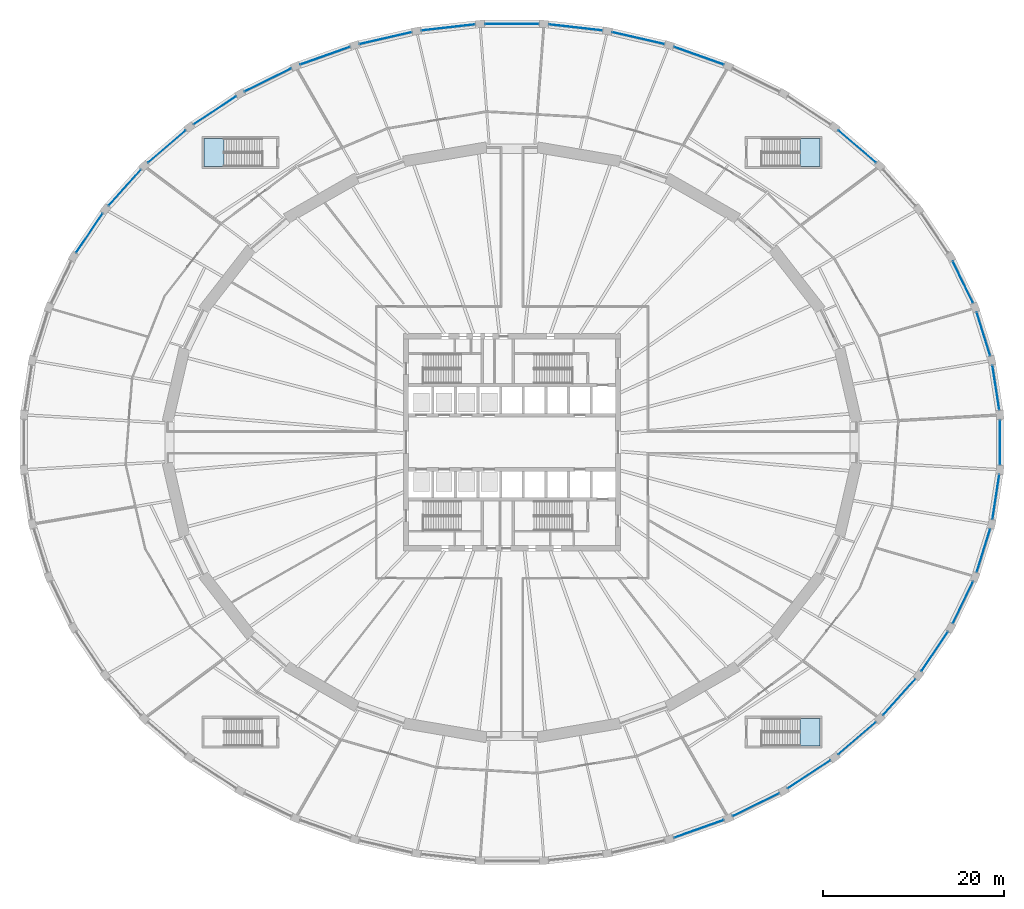
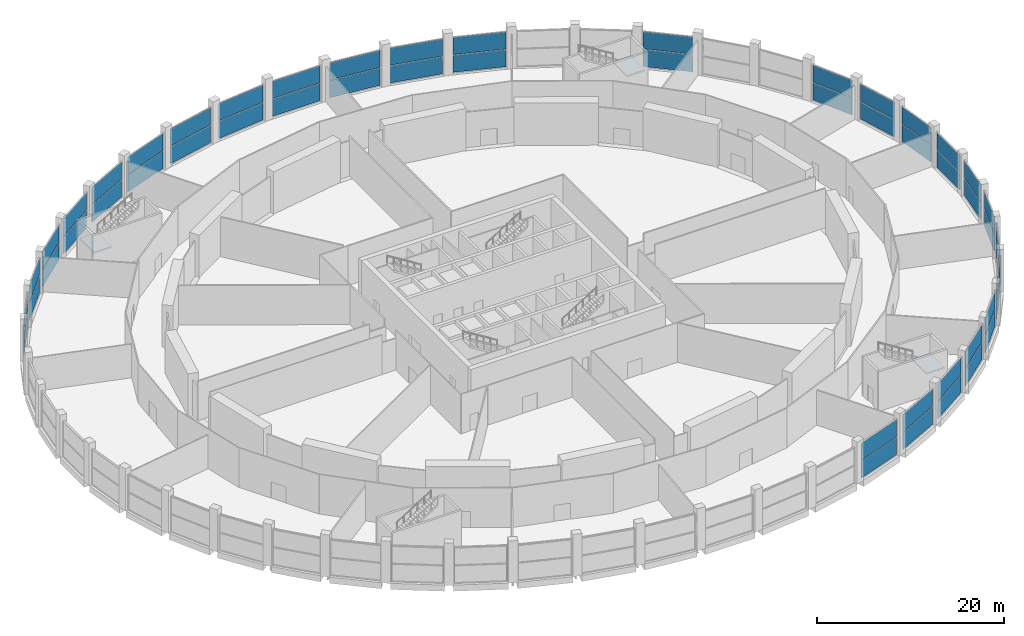
# One storey, part 19 of 29: 52 plates, 3 slabs, 29 elements without a shape of their own.
"""IFC4 building model written with IfcOpenShell, lengths in metres."""

from ifc_helpers import new_model, si_unit, direction, frame, origin, origin_2d, place, context, subcontext, project, spatial, polyline, rectangle, outline, extrude, material, layer, layer_set, type_object, element, aggregate, save


model = new_model("IFC4")

# Units and contexts
model_context = context("Model", 3, precision=1e-05, world=origin(), true_north=direction((0.0, 1.0)))
body_context = subcontext(model_context, "Body", "Model", "MODEL_VIEW")
ifc_project = project(units=[si_unit("LENGTHUNIT", "METRE"), si_unit("AREAUNIT", "SQUARE_METRE"), si_unit("VOLUMEUNIT", "CUBIC_METRE"), si_unit("PLANEANGLEUNIT", "RADIAN"), si_unit("MASSUNIT", "GRAM", prefix="KILO")], contexts=[model_context])

# Site, building, storey
site_placement = place(None, origin())
site = spatial("IfcSite", under=ifc_project, at=site_placement, CompositionType="ELEMENT")
building_placement = place(site_placement, origin())
building = spatial("IfcBuilding", under=site, at=building_placement, Name="Halqa Exchange Tower", CompositionType="ELEMENT")
storey_placement = place(building_placement, frame((0.0, 0.0, 7.0)))
storey = spatial("IfcBuildingStorey", under=building, at=storey_placement, Name="L01", CompositionType="ELEMENT", Elevation=7.0)

# Curtain wall, plates
ifc_material_1 = material(Name="Anodised aluminium and clear glass", Category="aluminium")
curtain_wall_type = type_object("IfcCurtainWallType", Name="Exchange hall glazing", PredefinedType="NOTDEFINED", material=ifc_material_1)
curtain_wall_1_placement = place(storey_placement, origin())
curtain_wall_1 = element("IfcCurtainWall", 1, at=curtain_wall_1_placement, inside=storey, type_object=curtain_wall_type, Name="Exchange hall glazing run P1", PredefinedType="NOTDEFINED")
ifc_material_2 = material(Name="Clear glass", Category="glass")
ifc_layer_1 = layer(ifc_material_2, 0.035888671875)
ifc_layer_set_1 = layer_set([ifc_layer_1], Name="Clear glass")
plate_type = type_object("IfcPlateType", Name="Laminated clear glass panel 36", PredefinedType="CURTAIN_PANEL", material=ifc_layer_set_1)
plate_1_placement = place(storey_placement, frame((53.42333984375, 6.030517578125, 0.06982421875), z_axis=(0.0, 0.0, 1.0), x_axis=(-0.151766957898, 0.988416304241, 0.0)))
plate_1 = element("IfcPlate", 2, at=plate_1_placement, type_object=plate_type, Name="P1 panel 1.1", PredefinedType="CURTAIN_PANEL", context=body_context, shape_type="SweptSolid", body=[
    extrude(rectangle(XDim=4.934814453125, YDim=0.035888671875, at=origin_2d()), origin(), (0.0, 0.0, 1.0), 2.2451171875),
])
plate_2_placement = place(storey_placement, frame((53.42333984375, 6.030517578125, 2.385009765625), z_axis=(0.0, 0.0, 1.0), x_axis=(-0.151766957898, 0.988416304241, 0.0)))
plate_2 = element("IfcPlate", 3, at=plate_2_placement, type_object=plate_type, Name="P1 panel 1.2", PredefinedType="CURTAIN_PANEL", context=body_context, shape_type="SweptSolid", body=[
    extrude(rectangle(XDim=4.934814453125, YDim=0.035888671875, at=origin_2d()), origin(), (0.0, 0.0, 1.0), 2.2451171875),
])
aggregate(curtain_wall_1, [plate_1, plate_2])

curtain_wall_2_placement = place(storey_placement, origin())
curtain_wall_2 = element("IfcCurtainWall", 4, at=curtain_wall_2_placement, inside=storey, type_object=curtain_wall_type, Name="Exchange hall glazing run P2", PredefinedType="NOTDEFINED")
plate_3_placement = place(storey_placement, frame((52.04833984375, 11.957763671875, 0.06982421875), z_axis=(0.0, 0.0, 1.0), x_axis=(-0.298302746613, 0.95447130463, 0.0)))
plate_3 = element("IfcPlate", 5, at=plate_3_placement, type_object=plate_type, Name="P2 panel 1.1", PredefinedType="CURTAIN_PANEL", context=body_context, shape_type="SweptSolid", body=[
    extrude(rectangle(XDim=4.989013671875, YDim=0.035888671875, at=origin_2d()), origin(), (0.0, 0.0, 1.0), 2.2451171875),
])
plate_4_placement = place(storey_placement, frame((52.04833984375, 11.957763671875, 2.385009765625), z_axis=(0.0, 0.0, 1.0), x_axis=(-0.298302746613, 0.95447130463, 0.0)))
plate_4 = element("IfcPlate", 6, at=plate_4_placement, type_object=plate_type, Name="P2 panel 1.2", PredefinedType="CURTAIN_PANEL", context=body_context, shape_type="SweptSolid", body=[
    extrude(rectangle(XDim=4.989013671875, YDim=0.035888671875, at=origin_2d()), origin(), (0.0, 0.0, 1.0), 2.2451171875),
])
aggregate(curtain_wall_2, [plate_3, plate_4])

curtain_wall_3_placement = place(storey_placement, origin())
curtain_wall_3 = element("IfcCurtainWall", 7, at=curtain_wall_3_placement, inside=storey, type_object=curtain_wall_type, Name="Exchange hall glazing run P3", PredefinedType="NOTDEFINED")
plate_5_placement = place(storey_placement, frame((49.78271484375, 17.680419921875, 0.06982421875), z_axis=(0.0, 0.0, 1.0), x_axis=(-0.434989864727, 0.90043534892, 0.0)))
plate_5 = element("IfcPlate", 8, at=plate_5_placement, type_object=plate_type, Name="P3 panel 1.1", PredefinedType="CURTAIN_PANEL", context=body_context, shape_type="SweptSolid", body=[
    extrude(rectangle(XDim=5.07421875, YDim=0.035888671875, at=origin_2d()), origin(), (0.0, 0.0, 1.0), 2.2451171875),
])
plate_6_placement = place(storey_placement, frame((49.78271484375, 17.680419921875, 2.385009765625), z_axis=(0.0, 0.0, 1.0), x_axis=(-0.434989864727, 0.90043534892, 0.0)))
plate_6 = element("IfcPlate", 9, at=plate_6_placement, type_object=plate_type, Name="P3 panel 1.2", PredefinedType="CURTAIN_PANEL", context=body_context, shape_type="SweptSolid", body=[
    extrude(rectangle(XDim=5.07421875, YDim=0.035888671875, at=origin_2d()), origin(), (0.0, 0.0, 1.0), 2.2451171875),
])
aggregate(curtain_wall_3, [plate_5, plate_6])

curtain_wall_4_placement = place(storey_placement, origin())
curtain_wall_4 = element("IfcCurtainWall", 10, at=curtain_wall_4_placement, inside=storey, type_object=curtain_wall_type, Name="Exchange hall glazing run P6", PredefinedType="NOTDEFINED")
plate_7_placement = place(storey_placement, frame((38.10205078125, 32.6689453125, 0.06982421875), z_axis=(0.0, 0.0, 1.0), x_axis=(-0.759154109704, 0.650910929175, 0.0)))
plate_7 = element("IfcPlate", 11, at=plate_7_placement, type_object=plate_type, Name="P6 panel 1.1", PredefinedType="CURTAIN_PANEL", context=body_context, shape_type="SweptSolid", body=[
    extrude(rectangle(XDim=5.439208984375, YDim=0.035888671875, at=origin_2d()), origin(), (0.0, 0.0, 1.0), 2.2451171875),
])
plate_8_placement = place(storey_placement, frame((38.10205078125, 32.6689453125, 2.385009765625), z_axis=(0.0, 0.0, 1.0), x_axis=(-0.759154109704, 0.650910929175, 0.0)))
plate_8 = element("IfcPlate", 12, at=plate_8_placement, type_object=plate_type, Name="P6 panel 1.2", PredefinedType="CURTAIN_PANEL", context=body_context, shape_type="SweptSolid", body=[
    extrude(rectangle(XDim=5.439208984375, YDim=0.035888671875, at=origin_2d()), origin(), (0.0, 0.0, 1.0), 2.2451171875),
])
aggregate(curtain_wall_4, [plate_7, plate_8])

curtain_wall_5_placement = place(storey_placement, origin())
curtain_wall_5 = element("IfcCurtainWall", 13, at=curtain_wall_5_placement, inside=storey, type_object=curtain_wall_type, Name="Exchange hall glazing run P9", PredefinedType="NOTDEFINED")
plate_9_placement = place(storey_placement, frame((20.62060546875, 42.68408203125, 0.06982421875), z_axis=(0.0, 0.0, 1.0), x_axis=(-0.942328875444, 0.334688348326, 0.0)))
plate_9 = element("IfcPlate", 14, at=plate_9_placement, type_object=plate_type, Name="P9 panel 1.1", PredefinedType="CURTAIN_PANEL", context=body_context, shape_type="SweptSolid", body=[
    extrude(rectangle(XDim=5.78515625, YDim=0.035888671875, at=origin_2d()), origin(), (0.0, 0.0, 1.0), 2.2451171875),
])
plate_10_placement = place(storey_placement, frame((20.62060546875, 42.68408203125, 2.385009765625), z_axis=(0.0, 0.0, 1.0), x_axis=(-0.942328875444, 0.334688348326, 0.0)))
plate_10 = element("IfcPlate", 15, at=plate_10_placement, type_object=plate_type, Name="P9 panel 1.2", PredefinedType="CURTAIN_PANEL", context=body_context, shape_type="SweptSolid", body=[
    extrude(rectangle(XDim=5.78515625, YDim=0.035888671875, at=origin_2d()), origin(), (0.0, 0.0, 1.0), 2.2451171875),
])
aggregate(curtain_wall_5, [plate_9, plate_10])

curtain_wall_6_placement = place(storey_placement, origin())
curtain_wall_6 = element("IfcCurtainWall", 16, at=curtain_wall_6_placement, inside=storey, type_object=curtain_wall_type, Name="Exchange hall glazing run P10", PredefinedType="NOTDEFINED")
plate_11_placement = place(storey_placement, frame((13.9462890625, 44.626708984375, 0.06982421875), z_axis=(0.0, 0.0, 1.0), x_axis=(-0.974612891234, 0.223896655269, 0.0)))
plate_11 = element("IfcPlate", 17, at=plate_11_placement, type_object=plate_type, Name="P10 panel 1.1", PredefinedType="CURTAIN_PANEL", context=body_context, shape_type="SweptSolid", body=[
    extrude(rectangle(XDim=5.860595703125, YDim=0.035888671875, at=origin_2d()), origin(), (0.0, 0.0, 1.0), 2.2451171875),
])
plate_12_placement = place(storey_placement, frame((13.9462890625, 44.626708984375, 2.385009765625), z_axis=(0.0, 0.0, 1.0), x_axis=(-0.974612891234, 0.223896655269, 0.0)))
plate_12 = element("IfcPlate", 18, at=plate_12_placement, type_object=plate_type, Name="P10 panel 1.2", PredefinedType="CURTAIN_PANEL", context=body_context, shape_type="SweptSolid", body=[
    extrude(rectangle(XDim=5.860595703125, YDim=0.035888671875, at=origin_2d()), origin(), (0.0, 0.0, 1.0), 2.2451171875),
])
aggregate(curtain_wall_6, [plate_11, plate_12])

curtain_wall_7_placement = place(storey_placement, origin())
curtain_wall_7 = element("IfcCurtainWall", 19, at=curtain_wall_7_placement, inside=storey, type_object=curtain_wall_type, Name="Exchange hall glazing run P11", PredefinedType="NOTDEFINED")
plate_13_placement = place(storey_placement, frame((7.033447265625, 45.8056640625, 0.06982421875), z_axis=(0.0, 0.0, 1.0), x_axis=(-0.993690261872, 0.112159098874, 0.0)))
plate_13 = element("IfcPlate", 20, at=plate_13_placement, type_object=plate_type, Name="P11 panel 1.1", PredefinedType="CURTAIN_PANEL", context=body_context, shape_type="SweptSolid", body=[
    extrude(rectangle(XDim=5.90771484375, YDim=0.035888671875, at=origin_2d()), origin(), (0.0, 0.0, 1.0), 2.2451171875),
])
plate_14_placement = place(storey_placement, frame((7.033447265625, 45.8056640625, 2.385009765625), z_axis=(0.0, 0.0, 1.0), x_axis=(-0.993690261872, 0.112159098874, 0.0)))
plate_14 = element("IfcPlate", 21, at=plate_14_placement, type_object=plate_type, Name="P11 panel 1.2", PredefinedType="CURTAIN_PANEL", context=body_context, shape_type="SweptSolid", body=[
    extrude(rectangle(XDim=5.90771484375, YDim=0.035888671875, at=origin_2d()), origin(), (0.0, 0.0, 1.0), 2.2451171875),
])
aggregate(curtain_wall_7, [plate_13, plate_14])

curtain_wall_8_placement = place(storey_placement, origin())
curtain_wall_8 = element("IfcCurtainWall", 22, at=curtain_wall_8_placement, inside=storey, type_object=curtain_wall_type, Name="Exchange hall glazing run P12", PredefinedType="NOTDEFINED")
plate_15_placement = place(storey_placement, frame((0.0, 46.200927734375, 0.06982421875), z_axis=(0.0, 0.0, 1.0), x_axis=(-1.0, 0.0, 0.0)))
plate_15 = element("IfcPlate", 23, at=plate_15_placement, type_object=plate_type, Name="P12 panel 1.1", PredefinedType="CURTAIN_PANEL", context=body_context, shape_type="SweptSolid", body=[
    extrude(rectangle(XDim=5.923583984375, YDim=0.035888671875, at=origin_2d()), origin(), (0.0, 0.0, 1.0), 2.2451171875),
])
plate_16_placement = place(storey_placement, frame((0.0, 46.200927734375, 2.385009765625), z_axis=(0.0, 0.0, 1.0), x_axis=(-1.0, 0.0, 0.0)))
plate_16 = element("IfcPlate", 24, at=plate_16_placement, type_object=plate_type, Name="P12 panel 1.2", PredefinedType="CURTAIN_PANEL", context=body_context, shape_type="SweptSolid", body=[
    extrude(rectangle(XDim=5.923583984375, YDim=0.035888671875, at=origin_2d()), origin(), (0.0, 0.0, 1.0), 2.2451171875),
])
aggregate(curtain_wall_8, [plate_15, plate_16])

curtain_wall_9_placement = place(storey_placement, origin())
curtain_wall_9 = element("IfcCurtainWall", 25, at=curtain_wall_9_placement, inside=storey, type_object=curtain_wall_type, Name="Exchange hall glazing run P13", PredefinedType="NOTDEFINED")
plate_17_placement = place(storey_placement, frame((-7.033447265625, 45.8056640625, 0.06982421875), z_axis=(0.0, 0.0, 1.0), x_axis=(-0.993690261872, -0.112159098874, 0.0)))
plate_17 = element("IfcPlate", 26, at=plate_17_placement, type_object=plate_type, Name="P13 panel 1.1", PredefinedType="CURTAIN_PANEL", context=body_context, shape_type="SweptSolid", body=[
    extrude(rectangle(XDim=5.90771484375, YDim=0.035888671875, at=origin_2d()), origin(), (0.0, 0.0, 1.0), 2.2451171875),
])
plate_18_placement = place(storey_placement, frame((-7.033447265625, 45.8056640625, 2.385009765625), z_axis=(0.0, 0.0, 1.0), x_axis=(-0.993690261872, -0.112159098874, 0.0)))
plate_18 = element("IfcPlate", 27, at=plate_18_placement, type_object=plate_type, Name="P13 panel 1.2", PredefinedType="CURTAIN_PANEL", context=body_context, shape_type="SweptSolid", body=[
    extrude(rectangle(XDim=5.90771484375, YDim=0.035888671875, at=origin_2d()), origin(), (0.0, 0.0, 1.0), 2.2451171875),
])
aggregate(curtain_wall_9, [plate_17, plate_18])

curtain_wall_10_placement = place(storey_placement, origin())
curtain_wall_10 = element("IfcCurtainWall", 28, at=curtain_wall_10_placement, inside=storey, type_object=curtain_wall_type, Name="Exchange hall glazing run P14", PredefinedType="NOTDEFINED")
plate_19_placement = place(storey_placement, frame((-13.9462890625, 44.626708984375, 0.06982421875), z_axis=(0.0, 0.0, 1.0), x_axis=(-0.974612891234, -0.223896655269, 0.0)))
plate_19 = element("IfcPlate", 29, at=plate_19_placement, type_object=plate_type, Name="P14 panel 1.1", PredefinedType="CURTAIN_PANEL", context=body_context, shape_type="SweptSolid", body=[
    extrude(rectangle(XDim=5.860595703125, YDim=0.035888671875, at=origin_2d()), origin(), (0.0, 0.0, 1.0), 2.2451171875),
])
plate_20_placement = place(storey_placement, frame((-13.9462890625, 44.626708984375, 2.385009765625), z_axis=(0.0, 0.0, 1.0), x_axis=(-0.974612891234, -0.223896655269, 0.0)))
plate_20 = element("IfcPlate", 30, at=plate_20_placement, type_object=plate_type, Name="P14 panel 1.2", PredefinedType="CURTAIN_PANEL", context=body_context, shape_type="SweptSolid", body=[
    extrude(rectangle(XDim=5.860595703125, YDim=0.035888671875, at=origin_2d()), origin(), (0.0, 0.0, 1.0), 2.2451171875),
])
aggregate(curtain_wall_10, [plate_19, plate_20])

curtain_wall_11_placement = place(storey_placement, origin())
curtain_wall_11 = element("IfcCurtainWall", 31, at=curtain_wall_11_placement, inside=storey, type_object=curtain_wall_type, Name="Exchange hall glazing run P15", PredefinedType="NOTDEFINED")
plate_21_placement = place(storey_placement, frame((-20.62060546875, 42.68408203125, 0.06982421875), z_axis=(0.0, 0.0, 1.0), x_axis=(-0.942328875444, -0.334688348326, 0.0)))
plate_21 = element("IfcPlate", 32, at=plate_21_placement, type_object=plate_type, Name="P15 panel 1.1", PredefinedType="CURTAIN_PANEL", context=body_context, shape_type="SweptSolid", body=[
    extrude(rectangle(XDim=5.78515625, YDim=0.035888671875, at=origin_2d()), origin(), (0.0, 0.0, 1.0), 2.2451171875),
])
plate_22_placement = place(storey_placement, frame((-20.62060546875, 42.68408203125, 2.385009765625), z_axis=(0.0, 0.0, 1.0), x_axis=(-0.942328875444, -0.334688348326, 0.0)))
plate_22 = element("IfcPlate", 33, at=plate_22_placement, type_object=plate_type, Name="P15 panel 1.2", PredefinedType="CURTAIN_PANEL", context=body_context, shape_type="SweptSolid", body=[
    extrude(rectangle(XDim=5.78515625, YDim=0.035888671875, at=origin_2d()), origin(), (0.0, 0.0, 1.0), 2.2451171875),
])
aggregate(curtain_wall_11, [plate_21, plate_22])

curtain_wall_12_placement = place(storey_placement, origin())
curtain_wall_12 = element("IfcCurtainWall", 34, at=curtain_wall_12_placement, inside=storey, type_object=curtain_wall_type, Name="Exchange hall glazing run P16", PredefinedType="NOTDEFINED")
plate_23_placement = place(storey_placement, frame((-26.942138671875, 40.010986328125, 0.06982421875), z_axis=(0.0, 0.0, 1.0), x_axis=(-0.896198440934, -0.443653417058, 0.0)))
plate_23 = element("IfcPlate", 35, at=plate_23_placement, type_object=plate_type, Name="P16 panel 1.1", PredefinedType="CURTAIN_PANEL", context=body_context, shape_type="SweptSolid", body=[
    extrude(rectangle(XDim=5.685791015625, YDim=0.035888671875, at=origin_2d()), origin(), (0.0, 0.0, 1.0), 2.2451171875),
])
plate_24_placement = place(storey_placement, frame((-26.942138671875, 40.010986328125, 2.385009765625), z_axis=(0.0, 0.0, 1.0), x_axis=(-0.896198440934, -0.443653417058, 0.0)))
plate_24 = element("IfcPlate", 36, at=plate_24_placement, type_object=plate_type, Name="P16 panel 1.2", PredefinedType="CURTAIN_PANEL", context=body_context, shape_type="SweptSolid", body=[
    extrude(rectangle(XDim=5.685791015625, YDim=0.035888671875, at=origin_2d()), origin(), (0.0, 0.0, 1.0), 2.2451171875),
])
aggregate(curtain_wall_12, [plate_23, plate_24])

curtain_wall_13_placement = place(storey_placement, origin())
curtain_wall_13 = element("IfcCurtainWall", 37, at=curtain_wall_13_placement, inside=storey, type_object=curtain_wall_type, Name="Exchange hall glazing run P17", PredefinedType="NOTDEFINED")
plate_25_placement = place(storey_placement, frame((-32.802734375, 36.653564453125, 0.06982421875), z_axis=(0.0, 0.0, 1.0), x_axis=(-0.835414753652, -0.549620040919, 0.0)))
plate_25 = element("IfcPlate", 38, at=plate_25_placement, type_object=plate_type, Name="P17 panel 1.1", PredefinedType="CURTAIN_PANEL", context=body_context, shape_type="SweptSolid", body=[
    extrude(rectangle(XDim=5.56787109375, YDim=0.035888671875, at=origin_2d()), origin(), (0.0, 0.0, 1.0), 2.2451171875),
])
plate_26_placement = place(storey_placement, frame((-32.802734375, 36.653564453125, 2.385009765625), z_axis=(0.0, 0.0, 1.0), x_axis=(-0.835414753652, -0.549620040919, 0.0)))
plate_26 = element("IfcPlate", 39, at=plate_26_placement, type_object=plate_type, Name="P17 panel 1.2", PredefinedType="CURTAIN_PANEL", context=body_context, shape_type="SweptSolid", body=[
    extrude(rectangle(XDim=5.56787109375, YDim=0.035888671875, at=origin_2d()), origin(), (0.0, 0.0, 1.0), 2.2451171875),
])
aggregate(curtain_wall_13, [plate_25, plate_26])

curtain_wall_14_placement = place(storey_placement, origin())
curtain_wall_14 = element("IfcCurtainWall", 40, at=curtain_wall_14_placement, inside=storey, type_object=curtain_wall_type, Name="Exchange hall glazing run P18", PredefinedType="NOTDEFINED")
plate_27_placement = place(storey_placement, frame((-38.10205078125, 32.6689453125, 0.06982421875), z_axis=(0.0, 0.0, 1.0), x_axis=(-0.759154109704, -0.650910929175, 0.0)))
plate_27 = element("IfcPlate", 41, at=plate_27_placement, type_object=plate_type, Name="P18 panel 1.1", PredefinedType="CURTAIN_PANEL", context=body_context, shape_type="SweptSolid", body=[
    extrude(rectangle(XDim=5.439208984375, YDim=0.035888671875, at=origin_2d()), origin(), (0.0, 0.0, 1.0), 2.2451171875),
])
plate_28_placement = place(storey_placement, frame((-38.10205078125, 32.6689453125, 2.385009765625), z_axis=(0.0, 0.0, 1.0), x_axis=(-0.759154109704, -0.650910929175, 0.0)))
plate_28 = element("IfcPlate", 42, at=plate_28_placement, type_object=plate_type, Name="P18 panel 1.2", PredefinedType="CURTAIN_PANEL", context=body_context, shape_type="SweptSolid", body=[
    extrude(rectangle(XDim=5.439208984375, YDim=0.035888671875, at=origin_2d()), origin(), (0.0, 0.0, 1.0), 2.2451171875),
])
aggregate(curtain_wall_14, [plate_27, plate_28])

curtain_wall_15_placement = place(storey_placement, origin())
curtain_wall_15 = element("IfcCurtainWall", 43, at=curtain_wall_15_placement, inside=storey, type_object=curtain_wall_type, Name="Exchange hall glazing run P19", PredefinedType="NOTDEFINED")
plate_29_placement = place(storey_placement, frame((-42.749267578125, 28.125244140625, 0.06982421875), z_axis=(0.0, 0.0, 1.0), x_axis=(-0.666899477539, -0.74514769466, 0.0)))
plate_29 = element("IfcPlate", 44, at=plate_29_placement, type_object=plate_type, Name="P19 panel 1.1", PredefinedType="CURTAIN_PANEL", context=body_context, shape_type="SweptSolid", body=[
    extrude(rectangle(XDim=5.30810546875, YDim=0.035888671875, at=origin_2d()), origin(), (0.0, 0.0, 1.0), 2.2451171875),
])
plate_30_placement = place(storey_placement, frame((-42.749267578125, 28.125244140625, 2.385009765625), z_axis=(0.0, 0.0, 1.0), x_axis=(-0.666899477539, -0.74514769466, 0.0)))
plate_30 = element("IfcPlate", 45, at=plate_30_placement, type_object=plate_type, Name="P19 panel 1.2", PredefinedType="CURTAIN_PANEL", context=body_context, shape_type="SweptSolid", body=[
    extrude(rectangle(XDim=5.30810546875, YDim=0.035888671875, at=origin_2d()), origin(), (0.0, 0.0, 1.0), 2.2451171875),
])
aggregate(curtain_wall_15, [plate_29, plate_30])

curtain_wall_16_placement = place(storey_placement, origin())
curtain_wall_16 = element("IfcCurtainWall", 46, at=curtain_wall_16_placement, inside=storey, type_object=curtain_wall_type, Name="Exchange hall glazing run P20", PredefinedType="NOTDEFINED")
plate_31_placement = place(storey_placement, frame((-46.665283203125, 23.100341796875, 0.06982421875), z_axis=(0.0, 0.0, 1.0), x_axis=(-0.55852230535, -0.8294895023, 0.0)))
plate_31 = element("IfcPlate", 47, at=plate_31_placement, type_object=plate_type, Name="P20 panel 1.1", PredefinedType="CURTAIN_PANEL", context=body_context, shape_type="SweptSolid", body=[
    extrude(rectangle(XDim=5.18310546875, YDim=0.035888671875, at=origin_2d()), origin(), (0.0, 0.0, 1.0), 2.2451171875),
])
plate_32_placement = place(storey_placement, frame((-46.665283203125, 23.100341796875, 2.385009765625), z_axis=(0.0, 0.0, 1.0), x_axis=(-0.55852230535, -0.8294895023, 0.0)))
plate_32 = element("IfcPlate", 48, at=plate_32_placement, type_object=plate_type, Name="P20 panel 1.2", PredefinedType="CURTAIN_PANEL", context=body_context, shape_type="SweptSolid", body=[
    extrude(rectangle(XDim=5.18310546875, YDim=0.035888671875, at=origin_2d()), origin(), (0.0, 0.0, 1.0), 2.2451171875),
])
aggregate(curtain_wall_16, [plate_31, plate_32])

curtain_wall_17_placement = place(storey_placement, origin())
curtain_wall_17 = element("IfcCurtainWall", 49, at=curtain_wall_17_placement, inside=storey, type_object=curtain_wall_type, Name="Exchange hall glazing run P39", PredefinedType="NOTDEFINED")
plate_33_placement = place(storey_placement, frame((20.62060546875, -42.68408203125, 0.06982421875), z_axis=(0.0, 0.0, 1.0), x_axis=(0.942328875444, 0.334688348326, 0.0)))
plate_33 = element("IfcPlate", 50, at=plate_33_placement, type_object=plate_type, Name="P39 panel 1.1", PredefinedType="CURTAIN_PANEL", context=body_context, shape_type="SweptSolid", body=[
    extrude(rectangle(XDim=5.78515625, YDim=0.035888671875, at=origin_2d()), origin(), (0.0, 0.0, 1.0), 2.2451171875),
])
plate_34_placement = place(storey_placement, frame((20.62060546875, -42.68408203125, 2.385009765625), z_axis=(0.0, 0.0, 1.0), x_axis=(0.942328875444, 0.334688348326, 0.0)))
plate_34 = element("IfcPlate", 51, at=plate_34_placement, type_object=plate_type, Name="P39 panel 1.2", PredefinedType="CURTAIN_PANEL", context=body_context, shape_type="SweptSolid", body=[
    extrude(rectangle(XDim=5.78515625, YDim=0.035888671875, at=origin_2d()), origin(), (0.0, 0.0, 1.0), 2.2451171875),
])
aggregate(curtain_wall_17, [plate_33, plate_34])

curtain_wall_18_placement = place(storey_placement, origin())
curtain_wall_18 = element("IfcCurtainWall", 52, at=curtain_wall_18_placement, inside=storey, type_object=curtain_wall_type, Name="Exchange hall glazing run P40", PredefinedType="NOTDEFINED")
plate_35_placement = place(storey_placement, frame((26.942138671875, -40.010986328125, 0.06982421875), z_axis=(0.0, 0.0, 1.0), x_axis=(0.896198440934, 0.443653417058, 0.0)))
plate_35 = element("IfcPlate", 53, at=plate_35_placement, type_object=plate_type, Name="P40 panel 1.1", PredefinedType="CURTAIN_PANEL", context=body_context, shape_type="SweptSolid", body=[
    extrude(rectangle(XDim=5.685791015625, YDim=0.035888671875, at=origin_2d()), origin(), (0.0, 0.0, 1.0), 2.2451171875),
])
plate_36_placement = place(storey_placement, frame((26.942138671875, -40.010986328125, 2.385009765625), z_axis=(0.0, 0.0, 1.0), x_axis=(0.896198440934, 0.443653417058, 0.0)))
plate_36 = element("IfcPlate", 54, at=plate_36_placement, type_object=plate_type, Name="P40 panel 1.2", PredefinedType="CURTAIN_PANEL", context=body_context, shape_type="SweptSolid", body=[
    extrude(rectangle(XDim=5.685791015625, YDim=0.035888671875, at=origin_2d()), origin(), (0.0, 0.0, 1.0), 2.2451171875),
])
aggregate(curtain_wall_18, [plate_35, plate_36])

curtain_wall_19_placement = place(storey_placement, origin())
curtain_wall_19 = element("IfcCurtainWall", 55, at=curtain_wall_19_placement, inside=storey, type_object=curtain_wall_type, Name="Exchange hall glazing run P41", PredefinedType="NOTDEFINED")
plate_37_placement = place(storey_placement, frame((32.802734375, -36.653564453125, 0.06982421875), z_axis=(0.0, 0.0, 1.0), x_axis=(0.835414753652, 0.549620040919, 0.0)))
plate_37 = element("IfcPlate", 56, at=plate_37_placement, type_object=plate_type, Name="P41 panel 1.1", PredefinedType="CURTAIN_PANEL", context=body_context, shape_type="SweptSolid", body=[
    extrude(rectangle(XDim=5.56787109375, YDim=0.035888671875, at=origin_2d()), origin(), (0.0, 0.0, 1.0), 2.2451171875),
])
plate_38_placement = place(storey_placement, frame((32.802734375, -36.653564453125, 2.385009765625), z_axis=(0.0, 0.0, 1.0), x_axis=(0.835414753652, 0.549620040919, 0.0)))
plate_38 = element("IfcPlate", 57, at=plate_38_placement, type_object=plate_type, Name="P41 panel 1.2", PredefinedType="CURTAIN_PANEL", context=body_context, shape_type="SweptSolid", body=[
    extrude(rectangle(XDim=5.56787109375, YDim=0.035888671875, at=origin_2d()), origin(), (0.0, 0.0, 1.0), 2.2451171875),
])
aggregate(curtain_wall_19, [plate_37, plate_38])

curtain_wall_20_placement = place(storey_placement, origin())
curtain_wall_20 = element("IfcCurtainWall", 58, at=curtain_wall_20_placement, inside=storey, type_object=curtain_wall_type, Name="Exchange hall glazing run P42", PredefinedType="NOTDEFINED")
plate_39_placement = place(storey_placement, frame((38.10205078125, -32.6689453125, 0.06982421875), z_axis=(0.0, 0.0, 1.0), x_axis=(0.759154109704, 0.650910929175, 0.0)))
plate_39 = element("IfcPlate", 59, at=plate_39_placement, type_object=plate_type, Name="P42 panel 1.1", PredefinedType="CURTAIN_PANEL", context=body_context, shape_type="SweptSolid", body=[
    extrude(rectangle(XDim=5.439208984375, YDim=0.035888671875, at=origin_2d()), origin(), (0.0, 0.0, 1.0), 2.2451171875),
])
plate_40_placement = place(storey_placement, frame((38.10205078125, -32.6689453125, 2.385009765625), z_axis=(0.0, 0.0, 1.0), x_axis=(0.759154109704, 0.650910929175, 0.0)))
plate_40 = element("IfcPlate", 60, at=plate_40_placement, type_object=plate_type, Name="P42 panel 1.2", PredefinedType="CURTAIN_PANEL", context=body_context, shape_type="SweptSolid", body=[
    extrude(rectangle(XDim=5.439208984375, YDim=0.035888671875, at=origin_2d()), origin(), (0.0, 0.0, 1.0), 2.2451171875),
])
aggregate(curtain_wall_20, [plate_39, plate_40])

curtain_wall_21_placement = place(storey_placement, origin())
curtain_wall_21 = element("IfcCurtainWall", 61, at=curtain_wall_21_placement, inside=storey, type_object=curtain_wall_type, Name="Exchange hall glazing run P43", PredefinedType="NOTDEFINED")
plate_41_placement = place(storey_placement, frame((42.749267578125, -28.125244140625, 0.06982421875), z_axis=(0.0, 0.0, 1.0), x_axis=(0.666899477539, 0.74514769466, 0.0)))
plate_41 = element("IfcPlate", 62, at=plate_41_placement, type_object=plate_type, Name="P43 panel 1.1", PredefinedType="CURTAIN_PANEL", context=body_context, shape_type="SweptSolid", body=[
    extrude(rectangle(XDim=5.30810546875, YDim=0.035888671875, at=origin_2d()), origin(), (0.0, 0.0, 1.0), 2.2451171875),
])
plate_42_placement = place(storey_placement, frame((42.749267578125, -28.125244140625, 2.385009765625), z_axis=(0.0, 0.0, 1.0), x_axis=(0.666899477539, 0.74514769466, 0.0)))
plate_42 = element("IfcPlate", 63, at=plate_42_placement, type_object=plate_type, Name="P43 panel 1.2", PredefinedType="CURTAIN_PANEL", context=body_context, shape_type="SweptSolid", body=[
    extrude(rectangle(XDim=5.30810546875, YDim=0.035888671875, at=origin_2d()), origin(), (0.0, 0.0, 1.0), 2.2451171875),
])
aggregate(curtain_wall_21, [plate_41, plate_42])

curtain_wall_22_placement = place(storey_placement, origin())
curtain_wall_22 = element("IfcCurtainWall", 64, at=curtain_wall_22_placement, inside=storey, type_object=curtain_wall_type, Name="Exchange hall glazing run P44", PredefinedType="NOTDEFINED")
plate_43_placement = place(storey_placement, frame((46.665283203125, -23.100341796875, 0.06982421875), z_axis=(0.0, 0.0, 1.0), x_axis=(0.55852230535, 0.8294895023, 0.0)))
plate_43 = element("IfcPlate", 65, at=plate_43_placement, type_object=plate_type, Name="P44 panel 1.1", PredefinedType="CURTAIN_PANEL", context=body_context, shape_type="SweptSolid", body=[
    extrude(rectangle(XDim=5.18310546875, YDim=0.035888671875, at=origin_2d()), origin(), (0.0, 0.0, 1.0), 2.2451171875),
])
plate_44_placement = place(storey_placement, frame((46.665283203125, -23.100341796875, 2.385009765625), z_axis=(0.0, 0.0, 1.0), x_axis=(0.55852230535, 0.8294895023, 0.0)))
plate_44 = element("IfcPlate", 66, at=plate_44_placement, type_object=plate_type, Name="P44 panel 1.2", PredefinedType="CURTAIN_PANEL", context=body_context, shape_type="SweptSolid", body=[
    extrude(rectangle(XDim=5.18310546875, YDim=0.035888671875, at=origin_2d()), origin(), (0.0, 0.0, 1.0), 2.2451171875),
])
aggregate(curtain_wall_22, [plate_43, plate_44])

curtain_wall_23_placement = place(storey_placement, origin())
curtain_wall_23 = element("IfcCurtainWall", 67, at=curtain_wall_23_placement, inside=storey, type_object=curtain_wall_type, Name="Exchange hall glazing run P45", PredefinedType="NOTDEFINED")
plate_45_placement = place(storey_placement, frame((49.78271484375, -17.680419921875, 0.06982421875), z_axis=(0.0, 0.0, 1.0), x_axis=(0.434989864727, 0.90043534892, 0.0)))
plate_45 = element("IfcPlate", 68, at=plate_45_placement, type_object=plate_type, Name="P45 panel 1.1", PredefinedType="CURTAIN_PANEL", context=body_context, shape_type="SweptSolid", body=[
    extrude(rectangle(XDim=5.07421875, YDim=0.035888671875, at=origin_2d()), origin(), (0.0, 0.0, 1.0), 2.2451171875),
])
plate_46_placement = place(storey_placement, frame((49.78271484375, -17.680419921875, 2.385009765625), z_axis=(0.0, 0.0, 1.0), x_axis=(0.434989864727, 0.90043534892, 0.0)))
plate_46 = element("IfcPlate", 69, at=plate_46_placement, type_object=plate_type, Name="P45 panel 1.2", PredefinedType="CURTAIN_PANEL", context=body_context, shape_type="SweptSolid", body=[
    extrude(rectangle(XDim=5.07421875, YDim=0.035888671875, at=origin_2d()), origin(), (0.0, 0.0, 1.0), 2.2451171875),
])
aggregate(curtain_wall_23, [plate_45, plate_46])

curtain_wall_24_placement = place(storey_placement, origin())
curtain_wall_24 = element("IfcCurtainWall", 70, at=curtain_wall_24_placement, inside=storey, type_object=curtain_wall_type, Name="Exchange hall glazing run P46", PredefinedType="NOTDEFINED")
plate_47_placement = place(storey_placement, frame((52.04833984375, -11.957763671875, 0.06982421875), z_axis=(0.0, 0.0, 1.0), x_axis=(0.298302746613, 0.95447130463, 0.0)))
plate_47 = element("IfcPlate", 71, at=plate_47_placement, type_object=plate_type, Name="P46 panel 1.1", PredefinedType="CURTAIN_PANEL", context=body_context, shape_type="SweptSolid", body=[
    extrude(rectangle(XDim=4.989013671875, YDim=0.035888671875, at=origin_2d()), origin(), (0.0, 0.0, 1.0), 2.2451171875),
])
plate_48_placement = place(storey_placement, frame((52.04833984375, -11.957763671875, 2.385009765625), z_axis=(0.0, 0.0, 1.0), x_axis=(0.298302746613, 0.95447130463, 0.0)))
plate_48 = element("IfcPlate", 72, at=plate_48_placement, type_object=plate_type, Name="P46 panel 1.2", PredefinedType="CURTAIN_PANEL", context=body_context, shape_type="SweptSolid", body=[
    extrude(rectangle(XDim=4.989013671875, YDim=0.035888671875, at=origin_2d()), origin(), (0.0, 0.0, 1.0), 2.2451171875),
])
aggregate(curtain_wall_24, [plate_47, plate_48])

curtain_wall_25_placement = place(storey_placement, origin())
curtain_wall_25 = element("IfcCurtainWall", 73, at=curtain_wall_25_placement, inside=storey, type_object=curtain_wall_type, Name="Exchange hall glazing run P47", PredefinedType="NOTDEFINED")
plate_49_placement = place(storey_placement, frame((53.42333984375, -6.030517578125, 0.06982421875), z_axis=(0.0, 0.0, 1.0), x_axis=(0.151766957898, 0.988416304241, 0.0)))
plate_49 = element("IfcPlate", 74, at=plate_49_placement, type_object=plate_type, Name="P47 panel 1.1", PredefinedType="CURTAIN_PANEL", context=body_context, shape_type="SweptSolid", body=[
    extrude(rectangle(XDim=4.934814453125, YDim=0.035888671875, at=origin_2d()), origin(), (0.0, 0.0, 1.0), 2.2451171875),
])
plate_50_placement = place(storey_placement, frame((53.42333984375, -6.030517578125, 2.385009765625), z_axis=(0.0, 0.0, 1.0), x_axis=(0.151766957898, 0.988416304241, 0.0)))
plate_50 = element("IfcPlate", 75, at=plate_50_placement, type_object=plate_type, Name="P47 panel 1.2", PredefinedType="CURTAIN_PANEL", context=body_context, shape_type="SweptSolid", body=[
    extrude(rectangle(XDim=4.934814453125, YDim=0.035888671875, at=origin_2d()), origin(), (0.0, 0.0, 1.0), 2.2451171875),
])
aggregate(curtain_wall_25, [plate_49, plate_50])

curtain_wall_26_placement = place(storey_placement, origin())
curtain_wall_26 = element("IfcCurtainWall", 76, at=curtain_wall_26_placement, inside=storey, type_object=curtain_wall_type, Name="Exchange hall glazing run P48", PredefinedType="NOTDEFINED")
plate_51_placement = place(storey_placement, frame((53.884521484375, 0.0, 0.06982421875), z_axis=(0.0, 0.0, 1.0), x_axis=(0.0, 1.0, 0.0)))
plate_51 = element("IfcPlate", 77, at=plate_51_placement, type_object=plate_type, Name="P48 panel 1.1", PredefinedType="CURTAIN_PANEL", context=body_context, shape_type="SweptSolid", body=[
    extrude(rectangle(XDim=4.91650390625, YDim=0.035888671875, at=origin_2d()), origin(), (0.0, 0.0, 1.0), 2.2451171875),
])
plate_52_placement = place(storey_placement, frame((53.884521484375, 0.0, 2.385009765625), z_axis=(0.0, 0.0, 1.0), x_axis=(0.0, 1.0, 0.0)))
plate_52 = element("IfcPlate", 78, at=plate_52_placement, type_object=plate_type, Name="P48 panel 1.2", PredefinedType="CURTAIN_PANEL", context=body_context, shape_type="SweptSolid", body=[
    extrude(rectangle(XDim=4.91650390625, YDim=0.035888671875, at=origin_2d()), origin(), (0.0, 0.0, 1.0), 2.2451171875),
])
aggregate(curtain_wall_26, [plate_51, plate_52])

# Stair, slab
ifc_material_3 = material(Name="Concrete C30/37", Category="concrete")
stair_type = type_object("IfcStairType", Name="Exit stair 1400 wide", PredefinedType="HALF_TURN_STAIR", material=ifc_material_3)
stair_1_placement = place(storey_placement, origin())
stair_1 = element("IfcStair", 79, at=stair_1_placement, inside=storey, type_object=stair_type, Name="Exit stair PS1", PredefinedType="HALF_TURN_STAIR")
ifc_layer_2 = layer(ifc_material_3, 0.199951171875)
ifc_layer_set_2 = layer_set([ifc_layer_2], Name="Concrete C30/37")
slab_type = type_object("IfcSlabType", Name="Stair landing 200 slab", PredefinedType="LANDING", material=ifc_layer_set_2)
slab_1_placement = place(storey_placement, frame((0.0, 0.0, 2.550048828125)))
slab_1 = element("IfcSlab", 80, at=slab_1_placement, type_object=slab_type, Name="PS1 landing 1", PredefinedType="LANDING", context=body_context, shape_type="SweptSolid", body=[
    extrude(outline(polyline([(31.800048828125, 30.47509765625), (34.0, 30.47509765625), (34.0, 33.52490234375), (31.800048828125, 33.52490234375), (31.800048828125, 30.47509765625)])), origin(), (0.0, 0.0, 1.0), 0.199951171875),
])
aggregate(stair_1, [slab_1])

stair_2_placement = place(storey_placement, origin())
stair_2 = element("IfcStair", 81, at=stair_2_placement, inside=storey, type_object=stair_type, Name="Exit stair PS2", PredefinedType="HALF_TURN_STAIR")
slab_2_placement = place(storey_placement, frame((0.0, 0.0, 2.550048828125)))
slab_2 = element("IfcSlab", 82, at=slab_2_placement, type_object=slab_type, Name="PS2 landing 1", PredefinedType="LANDING", context=body_context, shape_type="SweptSolid", body=[
    extrude(outline(polyline([(31.800048828125, -33.52490234375), (34.0, -33.52490234375), (34.0, -30.47509765625), (31.800048828125, -30.47509765625), (31.800048828125, -33.52490234375)])), origin(), (0.0, 0.0, 1.0), 0.199951171875),
])
aggregate(stair_2, [slab_2])

stair_3_placement = place(storey_placement, origin())
stair_3 = element("IfcStair", 83, at=stair_3_placement, inside=storey, type_object=stair_type, Name="Exit stair PS3", PredefinedType="HALF_TURN_STAIR")
slab_3_placement = place(storey_placement, frame((0.0, 0.0, 2.550048828125)))
slab_3 = element("IfcSlab", 84, at=slab_3_placement, type_object=slab_type, Name="PS3 landing 1", PredefinedType="LANDING", context=body_context, shape_type="SweptSolid", body=[
    extrude(outline(polyline([(-34.0, 30.47509765625), (-31.800048828125, 30.47509765625), (-31.800048828125, 33.52490234375), (-34.0, 33.52490234375), (-34.0, 30.47509765625)])), origin(), (0.0, 0.0, 1.0), 0.199951171875),
])
aggregate(stair_3, [slab_3])

save(model, "model.ifc")
